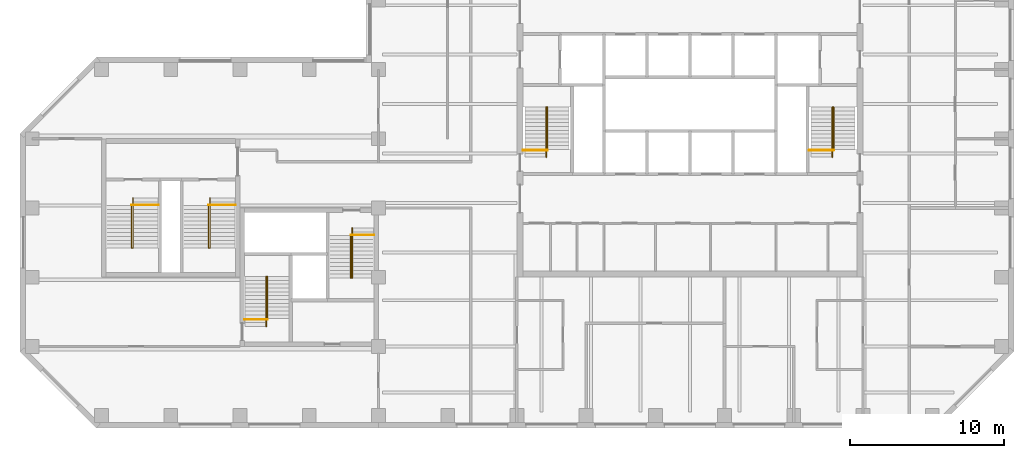
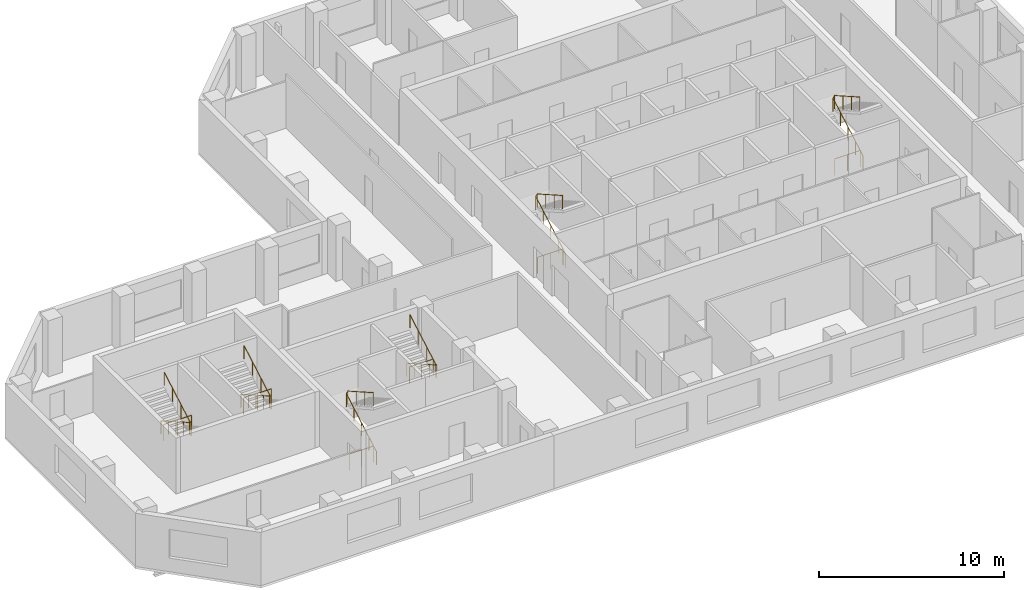
# One storey, part 8 of 8: 12 railings.
"""IFC4 building model written with IfcOpenShell, lengths in metres."""

from ifc_helpers import new_model, si_unit, direction, frame, origin, origin_2d, place, context, subcontext, project, spatial, circle, extrude, material, type_object, element, save


model = new_model("IFC4")

# Units and contexts
model_context = context("Model", 3, precision=1e-05, world=origin(), true_north=direction((0.0, 1.0)))
body_context = subcontext(model_context, "Body", "Model", "MODEL_VIEW")
ifc_project = project(units=[si_unit("LENGTHUNIT", "METRE"), si_unit("AREAUNIT", "SQUARE_METRE"), si_unit("VOLUMEUNIT", "CUBIC_METRE"), si_unit("PLANEANGLEUNIT", "RADIAN"), si_unit("MASSUNIT", "GRAM", prefix="KILO")], contexts=[model_context])

# Site, building, storey
site_placement = place(None, origin())
site = spatial("IfcSite", under=ifc_project, at=site_placement, CompositionType="ELEMENT")
building_placement = place(site_placement, origin())
building = spatial("IfcBuilding", under=site, at=building_placement, Name="Quoin Convention Tower", CompositionType="ELEMENT")
storey_placement = place(building_placement, frame((0.0, 0.0, 211.89990234375)))
storey = spatial("IfcBuildingStorey", under=building, at=storey_placement, Name="L55", CompositionType="ELEMENT", Elevation=211.89990234375)

# Railings
ifc_material = material(Name="Stainless steel", Category="steel")
railing_type_1 = type_object("IfcRailingType", Name="Stair handrail 900", PredefinedType="HANDRAIL", material=ifc_material)
railing_1_placement = place(storey_placement, frame((46.905029296875, 57.300048828125, 0.142333984375)))
element("IfcRailing", 1, at=railing_1_placement, inside=storey, type_object=railing_type_1, Name="SD1 handrail 1", PredefinedType="HANDRAIL", context=body_context, shape_type="SweptSolid", body=[
    extrude(circle(Radius=0.02392578125, at=origin_2d()), frame((0.0, 0.0, 0.8759765625), z_axis=(0.0, 0.869053504361, 0.494718108177), x_axis=(-1.0, 0.0, 0.0)), (0.0, 0.0, 1.0), 3.73974609375),
    extrude(circle(Radius=0.02392578125, at=origin_2d()), frame((0.0, 3.25, 2.72607421875), z_axis=(0.53481069233, 0.0, 0.844971906852), x_axis=(0.0, 1.0, 0.0)), (0.0, 0.0, 1.0), 0.16845703125),
    extrude(circle(Radius=0.02392578125, at=origin_2d()), frame((0.090087890625, 3.25, 2.8681640625), z_axis=(0.0, -0.869058607571, 0.494709143443), x_axis=(1.0, 0.0, 0.0)), (0.0, 0.0, 1.0), 3.164306640625),
    extrude(circle(Radius=0.02099609375, at=origin_2d()), origin(), (0.0, 0.0, 1.0), 0.851806640625),
    extrude(circle(Radius=0.02099609375, at=origin_2d()), frame((0.0, 0.8125, 0.46240234375)), (0.0, 0.0, 1.0), 0.851806640625),
    extrude(circle(Radius=0.02099609375, at=origin_2d()), frame((0.0, 1.625, 0.925048828125)), (0.0, 0.0, 1.0), 0.851806640625),
    extrude(circle(Radius=0.02099609375, at=origin_2d()), frame((0.0, 2.4375, 1.3876953125)), (0.0, 0.0, 1.0), 0.851806640625),
    extrude(circle(Radius=0.02099609375, at=origin_2d()), frame((0.0, 3.25, 1.85009765625)), (0.0, 0.0, 1.0), 0.851806640625),
    extrude(circle(Radius=0.02099609375, at=origin_2d()), frame((0.090087890625, 3.25, 1.992431640625)), (0.0, 0.0, 1.0), 0.851806640625),
    extrude(circle(Radius=0.02099609375, at=origin_2d()), frame((0.090087890625, 2.333251953125, 2.51416015625)), (0.0, 0.0, 1.0), 0.851806640625),
    extrude(circle(Radius=0.02099609375, at=origin_2d()), frame((0.090087890625, 1.416748046875, 3.0361328125)), (0.0, 0.0, 1.0), 0.851806640625),
    extrude(circle(Radius=0.02099609375, at=origin_2d()), frame((0.090087890625, 0.5, 3.557861328125)), (0.0, 0.0, 1.0), 0.851806640625),
])
railing_2_placement = place(storey_placement, frame((65.5048828125, 57.300048828125, 0.142333984375)))
element("IfcRailing", 2, at=railing_2_placement, inside=storey, type_object=railing_type_1, Name="SD2 handrail 1", PredefinedType="HANDRAIL", context=body_context, shape_type="SweptSolid", body=[
    extrude(circle(Radius=0.02392578125, at=origin_2d()), frame((0.0, 0.0, 0.8759765625), z_axis=(0.0, 0.869053504361, 0.494718108177), x_axis=(-1.0, 0.0, 0.0)), (0.0, 0.0, 1.0), 3.73974609375),
    extrude(circle(Radius=0.02392578125, at=origin_2d()), frame((0.0, 3.25, 2.72607421875), z_axis=(0.53481069233, 0.0, 0.844971906852), x_axis=(0.0, 1.0, 0.0)), (0.0, 0.0, 1.0), 0.16845703125),
    extrude(circle(Radius=0.02392578125, at=origin_2d()), frame((0.090087890625, 3.25, 2.8681640625), z_axis=(0.0, -0.869058607571, 0.494709143443), x_axis=(1.0, 0.0, 0.0)), (0.0, 0.0, 1.0), 3.164306640625),
    extrude(circle(Radius=0.02099609375, at=origin_2d()), origin(), (0.0, 0.0, 1.0), 0.851806640625),
    extrude(circle(Radius=0.02099609375, at=origin_2d()), frame((0.0, 0.8125, 0.46240234375)), (0.0, 0.0, 1.0), 0.851806640625),
    extrude(circle(Radius=0.02099609375, at=origin_2d()), frame((0.0, 1.625, 0.925048828125)), (0.0, 0.0, 1.0), 0.851806640625),
    extrude(circle(Radius=0.02099609375, at=origin_2d()), frame((0.0, 2.4375, 1.3876953125)), (0.0, 0.0, 1.0), 0.851806640625),
    extrude(circle(Radius=0.02099609375, at=origin_2d()), frame((0.0, 3.25, 1.85009765625)), (0.0, 0.0, 1.0), 0.851806640625),
    extrude(circle(Radius=0.02099609375, at=origin_2d()), frame((0.090087890625, 3.25, 1.992431640625)), (0.0, 0.0, 1.0), 0.851806640625),
    extrude(circle(Radius=0.02099609375, at=origin_2d()), frame((0.090087890625, 2.333251953125, 2.51416015625)), (0.0, 0.0, 1.0), 0.851806640625),
    extrude(circle(Radius=0.02099609375, at=origin_2d()), frame((0.090087890625, 1.416748046875, 3.0361328125)), (0.0, 0.0, 1.0), 0.851806640625),
    extrude(circle(Radius=0.02099609375, at=origin_2d()), frame((0.090087890625, 0.5, 3.557861328125)), (0.0, 0.0, 1.0), 0.851806640625),
])
railing_3_placement = place(storey_placement, frame((28.705078125, 46.300048828125, 0.142333984375)))
element("IfcRailing", 3, at=railing_3_placement, inside=storey, type_object=railing_type_1, Name="SD3 handrail 1", PredefinedType="HANDRAIL", context=body_context, shape_type="SweptSolid", body=[
    extrude(circle(Radius=0.02392578125, at=origin_2d()), frame((0.0, 0.0, 0.8759765625), z_axis=(0.0, 0.869053504361, 0.494718108177), x_axis=(-1.0, 0.0, 0.0)), (0.0, 0.0, 1.0), 3.73974609375),
    extrude(circle(Radius=0.02392578125, at=origin_2d()), frame((0.0, 3.25, 2.72607421875), z_axis=(0.533774684331, 0.0, 0.845626741753), x_axis=(0.0, 1.0, 0.0)), (0.0, 0.0, 1.0), 0.168212890625),
    extrude(circle(Radius=0.02392578125, at=origin_2d()), frame((0.08984375, 3.25, 2.8681640625), z_axis=(0.0, -0.869058607571, 0.494709143443), x_axis=(1.0, 0.0, 0.0)), (0.0, 0.0, 1.0), 3.164306640625),
    extrude(circle(Radius=0.02099609375, at=origin_2d()), origin(), (0.0, 0.0, 1.0), 0.851806640625),
    extrude(circle(Radius=0.02099609375, at=origin_2d()), frame((0.0, 0.8125, 0.46240234375)), (0.0, 0.0, 1.0), 0.851806640625),
    extrude(circle(Radius=0.02099609375, at=origin_2d()), frame((0.0, 1.625, 0.925048828125)), (0.0, 0.0, 1.0), 0.851806640625),
    extrude(circle(Radius=0.02099609375, at=origin_2d()), frame((0.0, 2.4375, 1.3876953125)), (0.0, 0.0, 1.0), 0.851806640625),
    extrude(circle(Radius=0.02099609375, at=origin_2d()), frame((0.0, 3.25, 1.85009765625)), (0.0, 0.0, 1.0), 0.851806640625),
    extrude(circle(Radius=0.02099609375, at=origin_2d()), frame((0.08984375, 3.25, 1.992431640625)), (0.0, 0.0, 1.0), 0.851806640625),
    extrude(circle(Radius=0.02099609375, at=origin_2d()), frame((0.08984375, 2.333251953125, 2.51416015625)), (0.0, 0.0, 1.0), 0.851806640625),
    extrude(circle(Radius=0.02099609375, at=origin_2d()), frame((0.08984375, 1.416748046875, 3.0361328125)), (0.0, 0.0, 1.0), 0.851806640625),
    extrude(circle(Radius=0.02099609375, at=origin_2d()), frame((0.08984375, 0.5, 3.557861328125)), (0.0, 0.0, 1.0), 0.851806640625),
])
railing_4_placement = place(storey_placement, frame((34.294921875, 52.699951171875, 0.142333984375)))
element("IfcRailing", 4, at=railing_4_placement, inside=storey, type_object=railing_type_1, Name="SD4 handrail 1", PredefinedType="HANDRAIL", context=body_context, shape_type="SweptSolid", body=[
    extrude(circle(Radius=0.02392578125, at=origin_2d()), frame((0.0, 0.0, 0.8759765625), z_axis=(0.0, -0.869053504361, 0.494718108177), x_axis=(1.0, 0.0, 0.0)), (0.0, 0.0, 1.0), 3.73974609375),
    extrude(circle(Radius=0.02392578125, at=origin_2d()), frame((0.0, -3.25, 2.72607421875), z_axis=(-0.533774684331, 0.0, 0.845626741753), x_axis=(0.0, -1.0, 0.0)), (0.0, 0.0, 1.0), 0.168212890625),
    extrude(circle(Radius=0.02392578125, at=origin_2d()), frame((-0.08984375, -3.25, 2.8681640625), z_axis=(0.0, 0.869058607571, 0.494709143443), x_axis=(-1.0, 0.0, 0.0)), (0.0, 0.0, 1.0), 3.164306640625),
    extrude(circle(Radius=0.02099609375, at=origin_2d()), origin(), (0.0, 0.0, 1.0), 0.851806640625),
    extrude(circle(Radius=0.02099609375, at=origin_2d()), frame((0.0, -0.8125, 0.46240234375)), (0.0, 0.0, 1.0), 0.851806640625),
    extrude(circle(Radius=0.02099609375, at=origin_2d()), frame((0.0, -1.625, 0.925048828125)), (0.0, 0.0, 1.0), 0.851806640625),
    extrude(circle(Radius=0.02099609375, at=origin_2d()), frame((0.0, -2.4375, 1.3876953125)), (0.0, 0.0, 1.0), 0.851806640625),
    extrude(circle(Radius=0.02099609375, at=origin_2d()), frame((0.0, -3.25, 1.85009765625)), (0.0, 0.0, 1.0), 0.851806640625),
    extrude(circle(Radius=0.02099609375, at=origin_2d()), frame((-0.08984375, -3.25, 1.992431640625)), (0.0, 0.0, 1.0), 0.851806640625),
    extrude(circle(Radius=0.02099609375, at=origin_2d()), frame((-0.08984375, -2.333251953125, 2.51416015625)), (0.0, 0.0, 1.0), 0.851806640625),
    extrude(circle(Radius=0.02099609375, at=origin_2d()), frame((-0.08984375, -1.416748046875, 3.0361328125)), (0.0, 0.0, 1.0), 0.851806640625),
    extrude(circle(Radius=0.02099609375, at=origin_2d()), frame((-0.08984375, -0.5, 3.557861328125)), (0.0, 0.0, 1.0), 0.851806640625),
])
railing_5_placement = place(storey_placement, frame((20.044921875, 54.64990234375, 0.142333984375)))
element("IfcRailing", 5, at=railing_5_placement, inside=storey, type_object=railing_type_1, Name="SD11 handrail 1", PredefinedType="HANDRAIL", context=body_context, shape_type="SweptSolid", body=[
    extrude(circle(Radius=0.02392578125, at=origin_2d()), frame((0.0, 0.0, 0.8759765625), z_axis=(0.0, -0.869053504361, 0.494718108177), x_axis=(1.0, 0.0, 0.0)), (0.0, 0.0, 1.0), 3.73974609375),
    extrude(circle(Radius=0.02392578125, at=origin_2d()), frame((0.0, -3.25, 2.72607421875), z_axis=(-0.533774684331, 0.0, 0.845626741753), x_axis=(0.0, -1.0, 0.0)), (0.0, 0.0, 1.0), 0.168212890625),
    extrude(circle(Radius=0.02392578125, at=origin_2d()), frame((-0.08984375, -3.25, 2.8681640625), z_axis=(0.0, 0.869058607571, 0.494709143443), x_axis=(-1.0, 0.0, 0.0)), (0.0, 0.0, 1.0), 3.164306640625),
    extrude(circle(Radius=0.02099609375, at=origin_2d()), origin(), (0.0, 0.0, 1.0), 0.851806640625),
    extrude(circle(Radius=0.02099609375, at=origin_2d()), frame((0.0, -0.8125, 0.46240234375)), (0.0, 0.0, 1.0), 0.851806640625),
    extrude(circle(Radius=0.02099609375, at=origin_2d()), frame((0.0, -1.625, 0.925048828125)), (0.0, 0.0, 1.0), 0.851806640625),
    extrude(circle(Radius=0.02099609375, at=origin_2d()), frame((0.0, -2.4375, 1.3876953125)), (0.0, 0.0, 1.0), 0.851806640625),
    extrude(circle(Radius=0.02099609375, at=origin_2d()), frame((0.0, -3.25, 1.85009765625)), (0.0, 0.0, 1.0), 0.851806640625),
    extrude(circle(Radius=0.02099609375, at=origin_2d()), frame((-0.08984375, -3.25, 1.992431640625)), (0.0, 0.0, 1.0), 0.851806640625),
    extrude(circle(Radius=0.02099609375, at=origin_2d()), frame((-0.08984375, -2.333251953125, 2.51416015625)), (0.0, 0.0, 1.0), 0.851806640625),
    extrude(circle(Radius=0.02099609375, at=origin_2d()), frame((-0.08984375, -1.416748046875, 3.0361328125)), (0.0, 0.0, 1.0), 0.851806640625),
    extrude(circle(Radius=0.02099609375, at=origin_2d()), frame((-0.08984375, -0.5, 3.557861328125)), (0.0, 0.0, 1.0), 0.851806640625),
])
railing_6_placement = place(storey_placement, frame((25.044921875, 54.64990234375, 0.142333984375)))
element("IfcRailing", 6, at=railing_6_placement, inside=storey, type_object=railing_type_1, Name="SD12 handrail 1", PredefinedType="HANDRAIL", context=body_context, shape_type="SweptSolid", body=[
    extrude(circle(Radius=0.02392578125, at=origin_2d()), frame((0.0, 0.0, 0.8759765625), z_axis=(0.0, -0.869053504361, 0.494718108177), x_axis=(1.0, 0.0, 0.0)), (0.0, 0.0, 1.0), 3.73974609375),
    extrude(circle(Radius=0.02392578125, at=origin_2d()), frame((0.0, -3.25, 2.72607421875), z_axis=(-0.533774684331, 0.0, 0.845626741753), x_axis=(0.0, -1.0, 0.0)), (0.0, 0.0, 1.0), 0.168212890625),
    extrude(circle(Radius=0.02392578125, at=origin_2d()), frame((-0.08984375, -3.25, 2.8681640625), z_axis=(0.0, 0.869058607571, 0.494709143443), x_axis=(-1.0, 0.0, 0.0)), (0.0, 0.0, 1.0), 3.164306640625),
    extrude(circle(Radius=0.02099609375, at=origin_2d()), origin(), (0.0, 0.0, 1.0), 0.851806640625),
    extrude(circle(Radius=0.02099609375, at=origin_2d()), frame((0.0, -0.8125, 0.46240234375)), (0.0, 0.0, 1.0), 0.851806640625),
    extrude(circle(Radius=0.02099609375, at=origin_2d()), frame((0.0, -1.625, 0.925048828125)), (0.0, 0.0, 1.0), 0.851806640625),
    extrude(circle(Radius=0.02099609375, at=origin_2d()), frame((0.0, -2.4375, 1.3876953125)), (0.0, 0.0, 1.0), 0.851806640625),
    extrude(circle(Radius=0.02099609375, at=origin_2d()), frame((0.0, -3.25, 1.85009765625)), (0.0, 0.0, 1.0), 0.851806640625),
    extrude(circle(Radius=0.02099609375, at=origin_2d()), frame((-0.08984375, -3.25, 1.992431640625)), (0.0, 0.0, 1.0), 0.851806640625),
    extrude(circle(Radius=0.02099609375, at=origin_2d()), frame((-0.08984375, -2.333251953125, 2.51416015625)), (0.0, 0.0, 1.0), 0.851806640625),
    extrude(circle(Radius=0.02099609375, at=origin_2d()), frame((-0.08984375, -1.416748046875, 3.0361328125)), (0.0, 0.0, 1.0), 0.851806640625),
    extrude(circle(Radius=0.02099609375, at=origin_2d()), frame((-0.08984375, -0.5, 3.557861328125)), (0.0, 0.0, 1.0), 0.851806640625),
])
railing_type_2 = type_object("IfcRailingType", Name="Stair top guard 1100", PredefinedType="GUARDRAIL", material=ifc_material)
railing_7_placement = place(storey_placement, frame((45.39990234375, 57.75, 0.0)))
element("IfcRailing", 7, at=railing_7_placement, inside=storey, type_object=railing_type_2, Name="SD1 top guard", PredefinedType="GUARDRAIL", context=body_context, shape_type="SweptSolid", body=[
    extrude(circle(Radius=0.02392578125, at=origin_2d()), frame((0.0, 0.0, 1.076171875), z_axis=(1.0, 0.0, 0.0), x_axis=(0.0, 1.0, 0.0)), (0.0, 0.0, 1.0), 1.59521484375),
    extrude(circle(Radius=0.02099609375, at=origin_2d()), origin(), (0.0, 0.0, 1.0), 1.052001953125),
    extrude(circle(Radius=0.02099609375, at=origin_2d()), frame((0.797607421875, 0.0, 0.0)), (0.0, 0.0, 1.0), 1.052001953125),
    extrude(circle(Radius=0.02099609375, at=origin_2d()), frame((1.59521484375, 0.0, 0.0)), (0.0, 0.0, 1.0), 1.052001953125),
])
railing_8_placement = place(storey_placement, frame((64.0, 57.75, 0.0)))
element("IfcRailing", 8, at=railing_8_placement, inside=storey, type_object=railing_type_2, Name="SD2 top guard", PredefinedType="GUARDRAIL", context=body_context, shape_type="SweptSolid", body=[
    extrude(circle(Radius=0.02392578125, at=origin_2d()), frame((0.0, 0.0, 1.076171875), z_axis=(1.0, 0.0, 0.0), x_axis=(0.0, 1.0, 0.0)), (0.0, 0.0, 1.0), 1.594970703125),
    extrude(circle(Radius=0.02099609375, at=origin_2d()), origin(), (0.0, 0.0, 1.0), 1.052001953125),
    extrude(circle(Radius=0.02099609375, at=origin_2d()), frame((0.79736328125, 0.0, 0.0)), (0.0, 0.0, 1.0), 1.052001953125),
    extrude(circle(Radius=0.02099609375, at=origin_2d()), frame((1.594970703125, 0.0, 0.0)), (0.0, 0.0, 1.0), 1.052001953125),
])
railing_9_placement = place(storey_placement, frame((27.300048828125, 46.75, 0.0)))
element("IfcRailing", 9, at=railing_9_placement, inside=storey, type_object=railing_type_2, Name="SD3 top guard", PredefinedType="GUARDRAIL", context=body_context, shape_type="SweptSolid", body=[
    extrude(circle(Radius=0.02392578125, at=origin_2d()), frame((0.0, 0.0, 1.076171875), z_axis=(1.0, 0.0, 0.0), x_axis=(0.0, 1.0, 0.0)), (0.0, 0.0, 1.0), 1.494873046875),
    extrude(circle(Radius=0.02099609375, at=origin_2d()), origin(), (0.0, 0.0, 1.0), 1.052001953125),
    extrude(circle(Radius=0.02099609375, at=origin_2d()), frame((0.74755859375, 0.0, 0.0)), (0.0, 0.0, 1.0), 1.052001953125),
    extrude(circle(Radius=0.02099609375, at=origin_2d()), frame((1.494873046875, 0.0, 0.0)), (0.0, 0.0, 1.0), 1.052001953125),
])
railing_10_placement = place(storey_placement, frame((35.699951171875, 52.25, 0.0)))
element("IfcRailing", 10, at=railing_10_placement, inside=storey, type_object=railing_type_2, Name="SD4 top guard", PredefinedType="GUARDRAIL", context=body_context, shape_type="SweptSolid", body=[
    extrude(circle(Radius=0.02392578125, at=origin_2d()), frame((0.0, 0.0, 1.076171875), z_axis=(-1.0, 0.0, 0.0), x_axis=(0.0, -1.0, 0.0)), (0.0, 0.0, 1.0), 1.494873046875),
    extrude(circle(Radius=0.02099609375, at=origin_2d()), origin(), (0.0, 0.0, 1.0), 1.052001953125),
    extrude(circle(Radius=0.02099609375, at=origin_2d()), frame((-0.74755859375, 0.0, 0.0)), (0.0, 0.0, 1.0), 1.052001953125),
    extrude(circle(Radius=0.02099609375, at=origin_2d()), frame((-1.494873046875, 0.0, 0.0)), (0.0, 0.0, 1.0), 1.052001953125),
])
for number, where, name in (
    (11, (21.699951171875, 54.199951171875, 0.0), "SD11 top guard"),
    (12, (26.699951171875, 54.199951171875, 0.0), "SD12 top guard"),
):
    element("IfcRailing", number, at=place(storey_placement, frame(where)), inside=storey, type_object=railing_type_2, Name=name, PredefinedType="GUARDRAIL", context=body_context, shape_type="SweptSolid", body=[
        extrude(circle(Radius=0.02392578125, at=origin_2d()), frame((0.0, 0.0, 1.076171875), z_axis=(-1.0, 0.0, 0.0), x_axis=(0.0, -1.0, 0.0)), (0.0, 0.0, 1.0), 1.744873046875),
        extrude(circle(Radius=0.02099609375, at=origin_2d()), origin(), (0.0, 0.0, 1.0), 1.052001953125),
        extrude(circle(Radius=0.02099609375, at=origin_2d()), frame((-0.87255859375, 0.0, 0.0)), (0.0, 0.0, 1.0), 1.052001953125),
        extrude(circle(Radius=0.02099609375, at=origin_2d()), frame((-1.744873046875, 0.0, 0.0)), (0.0, 0.0, 1.0), 1.052001953125),
    ])

save(model, "model.ifc")
